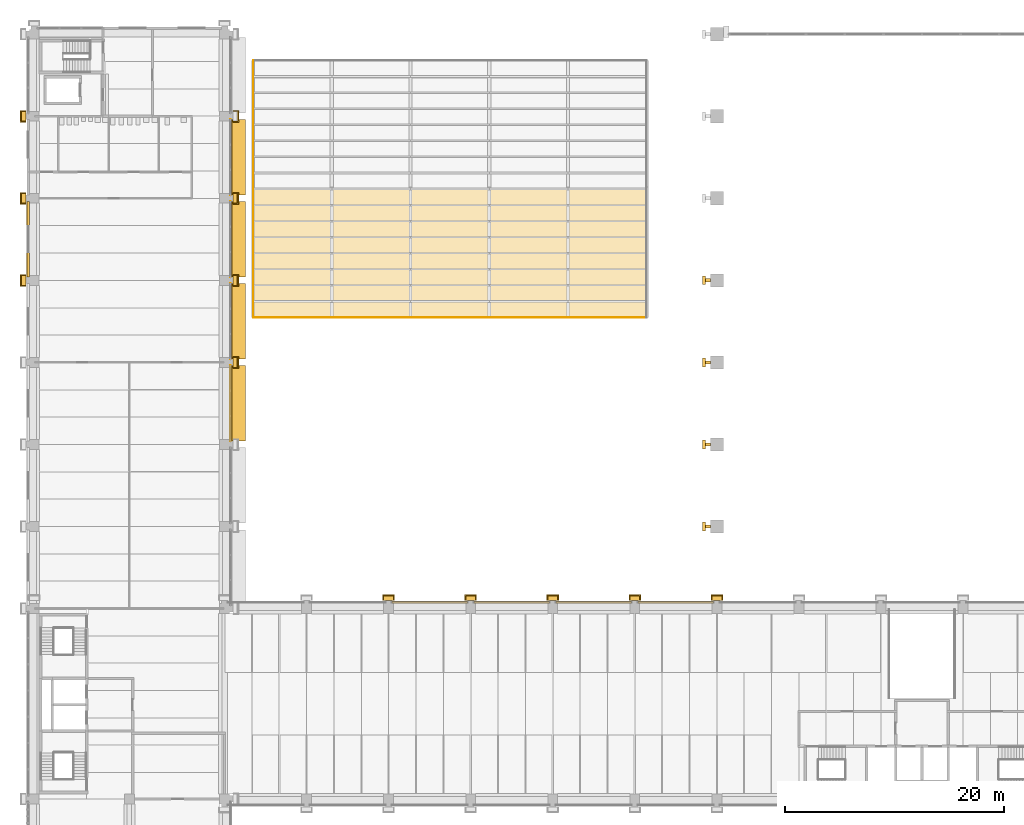
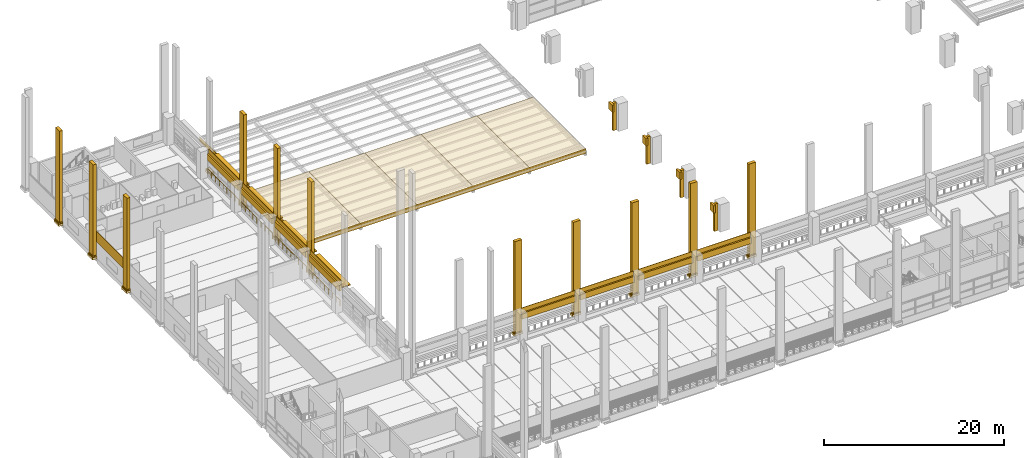
# One storey, part 52 of 67: 59 coverings, 4 railings, 4 shading devices, 1 element without a shape of its own.
"""IFC4 building model written with IfcOpenShell, lengths in metres."""

from ifc_helpers import new_model, si_unit, direction, frame, origin, origin_2d, place, context, subcontext, project, spatial, polyline, circle, outline, extrude, material, layer, layer_set, type_object, element, aggregate, save


model = new_model("IFC4")

# Units and contexts
model_context = context("Model", 3, precision=1e-05, world=origin(), true_north=direction((0.0, 1.0)))
body_context = subcontext(model_context, "Body", "Model", "MODEL_VIEW")
ifc_project = project(units=[si_unit("LENGTHUNIT", "METRE"), si_unit("AREAUNIT", "SQUARE_METRE"), si_unit("VOLUMEUNIT", "CUBIC_METRE"), si_unit("PLANEANGLEUNIT", "RADIAN"), si_unit("MASSUNIT", "GRAM", prefix="KILO")], contexts=[model_context])

# Site, building, storey
site_placement = place(None, origin())
site = spatial("IfcSite", under=ifc_project, at=site_placement, CompositionType="ELEMENT")
building_placement = place(site_placement, origin())
building = spatial("IfcBuilding", under=site, at=building_placement, Name="Cour d'Honneur Mobility Palace", CompositionType="ELEMENT")
storey_placement = place(building_placement, frame((0.0, 0.0, 4.5)))
storey = spatial("IfcBuildingStorey", under=building, at=storey_placement, Name="L01", CompositionType="ELEMENT", Elevation=4.5)

# Railings
ifc_material_1 = material(Name="Painted steel", Category="steel")
railing_type = type_object("IfcRailingType", Name="Balustrade", PredefinedType="BALUSTRADE", material=ifc_material_1)
for number, where, name in (
    (1, (17.949951171875, 77.699951171875, 0.300048828125), "Balustrade BAL-59"),
    (2, (17.949951171875, 85.199951171875, 0.300048828125), "Balustrade BAL-60"),
    (3, (17.949951171875, 92.699951171875, 0.300048828125), "Balustrade BAL-61"),
    (4, (17.949951171875, 100.199951171875, 0.300048828125), "Balustrade BAL-62"),
):
    element("IfcRailing", number, at=place(storey_placement, frame(where)), inside=storey, type_object=railing_type, Name=name, PredefinedType="BALUSTRADE", context=body_context, shape_type="SweptSolid", body=[
        extrude(circle(Radius=0.02392578125, at=origin_2d()), frame((0.0, 0.0, 0.77587890625), z_axis=(0.0, 1.0, 0.0), x_axis=(-1.0, 0.0, 0.0)), (0.0, 0.0, 1.0), 6.900146484375),
        extrude(circle(Radius=0.02099609375, at=origin_2d()), origin(), (0.0, 0.0, 1.0), 0.751953125),
        extrude(circle(Radius=0.02099609375, at=origin_2d()), frame((0.0, 0.862548828125, 0.0)), (0.0, 0.0, 1.0), 0.751953125),
        extrude(circle(Radius=0.02099609375, at=origin_2d()), frame((0.0, 1.72509765625, 0.0)), (0.0, 0.0, 1.0), 0.751953125),
        extrude(circle(Radius=0.02099609375, at=origin_2d()), frame((0.0, 2.587646484375, 0.0)), (0.0, 0.0, 1.0), 0.751953125),
        extrude(circle(Radius=0.02099609375, at=origin_2d()), frame((0.0, 3.4501953125, 0.0)), (0.0, 0.0, 1.0), 0.751953125),
        extrude(circle(Radius=0.02099609375, at=origin_2d()), frame((0.0, 4.3125, 0.0)), (0.0, 0.0, 1.0), 0.751953125),
        extrude(circle(Radius=0.02099609375, at=origin_2d()), frame((0.0, 5.175048828125, 0.0)), (0.0, 0.0, 1.0), 0.751953125),
        extrude(circle(Radius=0.02099609375, at=origin_2d()), frame((0.0, 6.03759765625, 0.0)), (0.0, 0.0, 1.0), 0.751953125),
        extrude(circle(Radius=0.02099609375, at=origin_2d()), frame((0.0, 6.900146484375, 0.0)), (0.0, 0.0, 1.0), 0.751953125),
    ])

# Roof, coverings
ifc_material_2 = material(Name="Zinc standing seam")
ifc_layer_1 = layer(ifc_material_2, 0.050048828125)
ifc_layer_set_1 = layer_set([ifc_layer_1], Name="Zinc standing seam")
roof_type = type_object("IfcRoofType", Name="Forecourt canopy", PredefinedType="FLAT_ROOF", material=ifc_layer_set_1)
roof_placement = place(storey_placement, origin())
roof = element("IfcRoof", 5, at=roof_placement, inside=storey, type_object=roof_type, Name="Forecourt canopy roof W", PredefinedType="FLAT_ROOF")
ifc_material_3 = material(Name="Cast limestone", Category="masonry")
ifc_layer_2 = layer(ifc_material_3, 0.0400390625)
ifc_layer_set_2 = layer_set([ifc_layer_2], Name="Cast limestone")
covering_type_1 = type_object("IfcCoveringType", Name="Canopy fascia", PredefinedType="CLADDING", material=ifc_layer_set_2)
covering_1_placement = place(storey_placement, frame((20.0, 89.0, 0.800048828125), z_axis=(0.0, -1.0, 0.0), x_axis=(1.0, 0.0, 0.0)))
covering_1 = element("IfcCovering", 6, at=covering_1_placement, type_object=covering_type_1, Name="Canopy fascia FCF-W1", PredefinedType="CLADDING", context=body_context, shape_type="SweptSolid", body=[
    extrude(outline(polyline([(0.0, 0.0), (36.0, 0.0), (36.0, 0.64990234375), (0.0, 0.64990234375), (0.0, 0.0)])), origin(), (0.0, 0.0, -1.0), 0.0400390625),
])
covering_2_placement = place(storey_placement, frame((20.0, 112.5, 0.800048828125), z_axis=(-1.0, 0.0, 0.0), x_axis=(0.0, -1.0, 0.0)))
covering_2 = element("IfcCovering", 7, at=covering_2_placement, type_object=covering_type_1, Name="Canopy fascia FCF-W4", PredefinedType="CLADDING", context=body_context, shape_type="SweptSolid", body=[
    extrude(outline(polyline([(0.0, 0.0), (23.5, 0.0), (23.5, 0.64990234375), (0.0, 0.64990234375), (0.0, 0.0)])), origin(), (0.0, 0.0, -1.0), 0.0400390625),
])
ifc_material_4 = material(Name="Zinc standing seam")
ifc_layer_3 = layer(ifc_material_4, 0.050048828125)
ifc_layer_set_3 = layer_set([ifc_layer_3], Name="Zinc standing seam")
covering_type_2 = type_object("IfcCoveringType", Name="Canopy roof panel", PredefinedType="ROOFING", material=ifc_layer_set_3)
covering_3_placement = place(storey_placement, frame((20.0, 89.0, 1.300048828125), z_axis=(0.0, 0.0, 1.0), x_axis=(1.0, 0.0, 0.0)))
covering_3 = element("IfcCovering", 8, at=covering_3_placement, type_object=covering_type_2, Name="Canopy roof panel FCS-W1", PredefinedType="ROOFING", context=body_context, shape_type="SweptSolid", body=[
    extrude(outline(polyline([(0.0, 0.0), (7.199951171875, 0.0), (7.199951171875, 11.75), (0.0, 11.75), (0.0, 0.0)])), origin(), (0.0, 0.0, -1.0), 0.050048828125),
])
covering_4_placement = place(storey_placement, frame((27.199951171875, 89.0, 1.300048828125), z_axis=(0.0, 0.0, 1.0), x_axis=(1.0, 0.0, 0.0)))
covering_4 = element("IfcCovering", 9, at=covering_4_placement, type_object=covering_type_2, Name="Canopy roof panel FCS-W3", PredefinedType="ROOFING", context=body_context, shape_type="SweptSolid", body=[
    extrude(outline(polyline([(0.0, 0.0), (7.199951171875, 0.0), (7.199951171875, 11.75), (0.0, 11.75), (0.0, 0.0)])), origin(), (0.0, 0.0, -1.0), 0.050048828125),
])
covering_5_placement = place(storey_placement, frame((34.39990234375, 89.0, 1.300048828125), z_axis=(0.0, 0.0, 1.0), x_axis=(1.0, 0.0, 0.0)))
covering_5 = element("IfcCovering", 10, at=covering_5_placement, type_object=covering_type_2, Name="Canopy roof panel FCS-W5", PredefinedType="ROOFING", context=body_context, shape_type="SweptSolid", body=[
    extrude(outline(polyline([(0.0, 0.0), (7.2001953125, 0.0), (7.2001953125, 11.75), (0.0, 11.75), (0.0, 0.0)])), origin(), (0.0, 0.0, -1.0), 0.050048828125),
])
covering_6_placement = place(storey_placement, frame((41.60009765625, 89.0, 1.300048828125), z_axis=(0.0, 0.0, 1.0), x_axis=(1.0, 0.0, 0.0)))
covering_6 = element("IfcCovering", 11, at=covering_6_placement, type_object=covering_type_2, Name="Canopy roof panel FCS-W7", PredefinedType="ROOFING", context=body_context, shape_type="SweptSolid", body=[
    extrude(outline(polyline([(0.0, 0.0), (7.199951171875, 0.0), (7.199951171875, 11.75), (0.0, 11.75), (0.0, 0.0)])), origin(), (0.0, 0.0, -1.0), 0.050048828125),
])
covering_7_placement = place(storey_placement, frame((48.800048828125, 89.0, 1.300048828125), z_axis=(0.0, 0.0, 1.0), x_axis=(1.0, 0.0, 0.0)))
covering_7 = element("IfcCovering", 12, at=covering_7_placement, type_object=covering_type_2, Name="Canopy roof panel FCS-W9", PredefinedType="ROOFING", context=body_context, shape_type="SweptSolid", body=[
    extrude(outline(polyline([(0.0, 0.0), (7.199951171875, 0.0), (7.199951171875, 11.75), (0.0, 11.75), (0.0, 0.0)])), origin(), (0.0, 0.0, -1.0), 0.050048828125),
])
aggregate(roof, [covering_3, covering_4, covering_5, covering_6, covering_7, covering_1, covering_2])

# Coverings
ifc_material_5 = material(Name="Cast limestone", Category="masonry")
ifc_layer_4 = layer(ifc_material_5, 0.300048828125)
ifc_layer_set_4 = layer_set([ifc_layer_4], Name="Cast limestone")
covering_type_3 = type_object("IfcCoveringType", Name="Pier fin", PredefinedType="CLADDING", material=ifc_layer_set_4)
covering_8_placement = place(storey_placement, origin())
element("IfcCovering", 13, at=covering_8_placement, inside=storey, type_object=covering_type_3, Name="Pier fin HP-W2 L01", PredefinedType="CLADDING", context=body_context, shape_type="SweptSolid", body=[
    extrude(outline(polyline([(61.35009765625, 69.75), (61.800048828125, 69.75), (61.800048828125, 70.050048828125), (61.35009765625, 70.050048828125), (61.35009765625, 69.75)])), origin(), (0.0, 0.0, 1.0), 3.699951171875),
])
covering_9_placement = place(storey_placement, origin())
element("IfcCovering", 14, at=covering_9_placement, inside=storey, type_object=covering_type_3, Name="Pier fin HP-W3 L01", PredefinedType="CLADDING", context=body_context, shape_type="SweptSolid", body=[
    extrude(outline(polyline([(61.35009765625, 77.25), (61.800048828125, 77.25), (61.800048828125, 77.550048828125), (61.35009765625, 77.550048828125), (61.35009765625, 77.25)])), origin(), (0.0, 0.0, 1.0), 3.699951171875),
])
covering_10_placement = place(storey_placement, origin())
element("IfcCovering", 15, at=covering_10_placement, inside=storey, type_object=covering_type_3, Name="Pier fin HP-W4 L01", PredefinedType="CLADDING", context=body_context, shape_type="SweptSolid", body=[
    extrude(outline(polyline([(61.35009765625, 84.75), (61.800048828125, 84.75), (61.800048828125, 85.050048828125), (61.35009765625, 85.050048828125), (61.35009765625, 84.75)])), origin(), (0.0, 0.0, 1.0), 3.699951171875),
])
covering_11_placement = place(storey_placement, origin())
element("IfcCovering", 16, at=covering_11_placement, inside=storey, type_object=covering_type_3, Name="Pier fin HP-W5 L01", PredefinedType="CLADDING", context=body_context, shape_type="SweptSolid", body=[
    extrude(outline(polyline([(61.35009765625, 92.25), (61.800048828125, 92.25), (61.800048828125, 92.550048828125), (61.35009765625, 92.550048828125), (61.35009765625, 92.25)])), origin(), (0.0, 0.0, 1.0), 3.699951171875),
])
ifc_material_6 = material(Name="Cast limestone", Category="masonry")
ifc_layer_5 = layer(ifc_material_6, 0.14990234375)
ifc_layer_set_5 = layer_set([ifc_layer_5], Name="Cast limestone")
covering_type_4 = type_object("IfcCoveringType", Name="Pilaster base", PredefinedType="CLADDING", material=ifc_layer_set_5)
covering_12_placement = place(storey_placement, frame((0.0, 0.0, 0.10009765625)))
element("IfcCovering", 17, at=covering_12_placement, inside=storey, type_object=covering_type_4, Name="Pilaster base PB-145", PredefinedType="CLADDING", context=body_context, shape_type="SweptSolid", body=[
    extrude(outline(polyline([(62.949951171875, 63.14990234375), (61.85009765625, 63.14990234375), (61.85009765625, 63.699951171875), (62.949951171875, 63.699951171875), (62.949951171875, 63.14990234375)])), origin(), (0.0, 0.0, 1.0), 0.2998046875),
])
covering_13_placement = place(storey_placement, frame((0.0, 0.0, 0.39990234375)))
element("IfcCovering", 18, at=covering_13_placement, inside=storey, type_object=covering_type_4, Name="Pilaster base PB-146", PredefinedType="CLADDING", context=body_context, shape_type="SweptSolid", body=[
    extrude(outline(polyline([(62.89990234375, 63.14990234375), (61.89990234375, 63.14990234375), (61.89990234375, 63.6201171875), (62.89990234375, 63.6201171875), (62.89990234375, 63.14990234375)])), origin(), (0.0, 0.0, 1.0), 0.150146484375),
])
covering_14_placement = place(storey_placement, frame((0.0, 0.0, 0.10009765625)))
element("IfcCovering", 19, at=covering_14_placement, inside=storey, type_object=covering_type_4, Name="Pilaster base PB-147", PredefinedType="CLADDING", context=body_context, shape_type="SweptSolid", body=[
    extrude(outline(polyline([(55.449951171875, 63.14990234375), (54.35009765625, 63.14990234375), (54.35009765625, 63.699951171875), (55.449951171875, 63.699951171875), (55.449951171875, 63.14990234375)])), origin(), (0.0, 0.0, 1.0), 0.2998046875),
])
covering_15_placement = place(storey_placement, frame((0.0, 0.0, 0.39990234375)))
element("IfcCovering", 20, at=covering_15_placement, inside=storey, type_object=covering_type_4, Name="Pilaster base PB-148", PredefinedType="CLADDING", context=body_context, shape_type="SweptSolid", body=[
    extrude(outline(polyline([(55.39990234375, 63.14990234375), (54.39990234375, 63.14990234375), (54.39990234375, 63.6201171875), (55.39990234375, 63.6201171875), (55.39990234375, 63.14990234375)])), origin(), (0.0, 0.0, 1.0), 0.150146484375),
])
covering_16_placement = place(storey_placement, frame((0.0, 0.0, 0.10009765625)))
element("IfcCovering", 21, at=covering_16_placement, inside=storey, type_object=covering_type_4, Name="Pilaster base PB-149", PredefinedType="CLADDING", context=body_context, shape_type="SweptSolid", body=[
    extrude(outline(polyline([(47.949951171875, 63.14990234375), (46.85009765625, 63.14990234375), (46.85009765625, 63.699951171875), (47.949951171875, 63.699951171875), (47.949951171875, 63.14990234375)])), origin(), (0.0, 0.0, 1.0), 0.2998046875),
])
covering_17_placement = place(storey_placement, frame((0.0, 0.0, 0.39990234375)))
element("IfcCovering", 22, at=covering_17_placement, inside=storey, type_object=covering_type_4, Name="Pilaster base PB-150", PredefinedType="CLADDING", context=body_context, shape_type="SweptSolid", body=[
    extrude(outline(polyline([(47.89990234375, 63.14990234375), (46.89990234375, 63.14990234375), (46.89990234375, 63.6201171875), (47.89990234375, 63.6201171875), (47.89990234375, 63.14990234375)])), origin(), (0.0, 0.0, 1.0), 0.150146484375),
])
covering_18_placement = place(storey_placement, frame((0.0, 0.0, 0.10009765625)))
element("IfcCovering", 23, at=covering_18_placement, inside=storey, type_object=covering_type_4, Name="Pilaster base PB-151", PredefinedType="CLADDING", context=body_context, shape_type="SweptSolid", body=[
    extrude(outline(polyline([(40.449951171875, 63.14990234375), (39.35009765625, 63.14990234375), (39.35009765625, 63.699951171875), (40.449951171875, 63.699951171875), (40.449951171875, 63.14990234375)])), origin(), (0.0, 0.0, 1.0), 0.2998046875),
])
covering_19_placement = place(storey_placement, frame((0.0, 0.0, 0.39990234375)))
element("IfcCovering", 24, at=covering_19_placement, inside=storey, type_object=covering_type_4, Name="Pilaster base PB-152", PredefinedType="CLADDING", context=body_context, shape_type="SweptSolid", body=[
    extrude(outline(polyline([(40.39990234375, 63.14990234375), (39.39990234375, 63.14990234375), (39.39990234375, 63.6201171875), (40.39990234375, 63.6201171875), (40.39990234375, 63.14990234375)])), origin(), (0.0, 0.0, 1.0), 0.150146484375),
])
covering_20_placement = place(storey_placement, frame((0.0, 0.0, 0.10009765625)))
element("IfcCovering", 25, at=covering_20_placement, inside=storey, type_object=covering_type_4, Name="Pilaster base PB-153", PredefinedType="CLADDING", context=body_context, shape_type="SweptSolid", body=[
    extrude(outline(polyline([(32.949951171875, 63.14990234375), (31.85009765625, 63.14990234375), (31.85009765625, 63.699951171875), (32.949951171875, 63.699951171875), (32.949951171875, 63.14990234375)])), origin(), (0.0, 0.0, 1.0), 0.2998046875),
])
covering_21_placement = place(storey_placement, frame((0.0, 0.0, 0.39990234375)))
element("IfcCovering", 26, at=covering_21_placement, inside=storey, type_object=covering_type_4, Name="Pilaster base PB-154", PredefinedType="CLADDING", context=body_context, shape_type="SweptSolid", body=[
    extrude(outline(polyline([(32.89990234375, 63.14990234375), (31.89990234375, 63.14990234375), (31.89990234375, 63.6201171875), (32.89990234375, 63.6201171875), (32.89990234375, 63.14990234375)])), origin(), (0.0, 0.0, 1.0), 0.150146484375),
])
covering_22_placement = place(storey_placement, frame((0.0, 0.0, 0.10009765625)))
element("IfcCovering", 27, at=covering_22_placement, inside=storey, type_object=covering_type_4, Name="Pilaster base PB-165", PredefinedType="CLADDING", context=body_context, shape_type="SweptSolid", body=[
    extrude(outline(polyline([(18.14990234375, 84.35009765625), (18.14990234375, 85.449951171875), (18.699951171875, 85.449951171875), (18.699951171875, 84.35009765625), (18.14990234375, 84.35009765625)])), origin(), (0.0, 0.0, 1.0), 0.2998046875),
])
covering_23_placement = place(storey_placement, frame((0.0, 0.0, 0.39990234375)))
element("IfcCovering", 28, at=covering_23_placement, inside=storey, type_object=covering_type_4, Name="Pilaster base PB-166", PredefinedType="CLADDING", context=body_context, shape_type="SweptSolid", body=[
    extrude(outline(polyline([(18.14990234375, 84.39990234375), (18.14990234375, 85.39990234375), (18.6201171875, 85.39990234375), (18.6201171875, 84.39990234375), (18.14990234375, 84.39990234375)])), origin(), (0.0, 0.0, 1.0), 0.150146484375),
])
covering_24_placement = place(storey_placement, frame((0.0, 0.0, 0.10009765625)))
element("IfcCovering", 29, at=covering_24_placement, inside=storey, type_object=covering_type_4, Name="Pilaster base PB-167", PredefinedType="CLADDING", context=body_context, shape_type="SweptSolid", body=[
    extrude(outline(polyline([(18.14990234375, 91.85009765625), (18.14990234375, 92.949951171875), (18.699951171875, 92.949951171875), (18.699951171875, 91.85009765625), (18.14990234375, 91.85009765625)])), origin(), (0.0, 0.0, 1.0), 0.2998046875),
])
covering_25_placement = place(storey_placement, frame((0.0, 0.0, 0.39990234375)))
element("IfcCovering", 30, at=covering_25_placement, inside=storey, type_object=covering_type_4, Name="Pilaster base PB-168", PredefinedType="CLADDING", context=body_context, shape_type="SweptSolid", body=[
    extrude(outline(polyline([(18.14990234375, 91.89990234375), (18.14990234375, 92.89990234375), (18.6201171875, 92.89990234375), (18.6201171875, 91.89990234375), (18.14990234375, 91.89990234375)])), origin(), (0.0, 0.0, 1.0), 0.150146484375),
])
covering_26_placement = place(storey_placement, frame((0.0, 0.0, 0.10009765625)))
element("IfcCovering", 31, at=covering_26_placement, inside=storey, type_object=covering_type_4, Name="Pilaster base PB-169", PredefinedType="CLADDING", context=body_context, shape_type="SweptSolid", body=[
    extrude(outline(polyline([(18.14990234375, 99.35009765625), (18.14990234375, 100.449951171875), (18.699951171875, 100.449951171875), (18.699951171875, 99.35009765625), (18.14990234375, 99.35009765625)])), origin(), (0.0, 0.0, 1.0), 0.2998046875),
])
covering_27_placement = place(storey_placement, frame((0.0, 0.0, 0.39990234375)))
element("IfcCovering", 32, at=covering_27_placement, inside=storey, type_object=covering_type_4, Name="Pilaster base PB-170", PredefinedType="CLADDING", context=body_context, shape_type="SweptSolid", body=[
    extrude(outline(polyline([(18.14990234375, 99.39990234375), (18.14990234375, 100.39990234375), (18.6201171875, 100.39990234375), (18.6201171875, 99.39990234375), (18.14990234375, 99.39990234375)])), origin(), (0.0, 0.0, 1.0), 0.150146484375),
])
covering_28_placement = place(storey_placement, frame((0.0, 0.0, 0.10009765625)))
element("IfcCovering", 33, at=covering_28_placement, inside=storey, type_object=covering_type_4, Name="Pilaster base PB-171", PredefinedType="CLADDING", context=body_context, shape_type="SweptSolid", body=[
    extrude(outline(polyline([(18.14990234375, 106.85009765625), (18.14990234375, 107.949951171875), (18.699951171875, 107.949951171875), (18.699951171875, 106.85009765625), (18.14990234375, 106.85009765625)])), origin(), (0.0, 0.0, 1.0), 0.2998046875),
])
covering_29_placement = place(storey_placement, frame((0.0, 0.0, 0.39990234375)))
element("IfcCovering", 34, at=covering_29_placement, inside=storey, type_object=covering_type_4, Name="Pilaster base PB-172", PredefinedType="CLADDING", context=body_context, shape_type="SweptSolid", body=[
    extrude(outline(polyline([(18.14990234375, 106.89990234375), (18.14990234375, 107.89990234375), (18.6201171875, 107.89990234375), (18.6201171875, 106.89990234375), (18.14990234375, 106.89990234375)])), origin(), (0.0, 0.0, 1.0), 0.150146484375),
])
covering_30_placement = place(storey_placement, frame((0.0, 0.0, 0.10009765625)))
element("IfcCovering", 35, at=covering_30_placement, inside=storey, type_object=covering_type_4, Name="Pilaster base PB-181", PredefinedType="CLADDING", context=body_context, shape_type="SweptSolid", body=[
    extrude(outline(polyline([(-0.75, 107.949951171875), (-0.75, 106.85009765625), (-1.300048828125, 106.85009765625), (-1.300048828125, 107.949951171875), (-0.75, 107.949951171875)])), origin(), (0.0, 0.0, 1.0), 0.2998046875),
])
covering_31_placement = place(storey_placement, frame((0.0, 0.0, 0.39990234375)))
element("IfcCovering", 36, at=covering_31_placement, inside=storey, type_object=covering_type_4, Name="Pilaster base PB-182", PredefinedType="CLADDING", context=body_context, shape_type="SweptSolid", body=[
    extrude(outline(polyline([(-0.75, 107.89990234375), (-0.75, 106.89990234375), (-1.219970703125, 106.89990234375), (-1.219970703125, 107.89990234375), (-0.75, 107.89990234375)])), origin(), (0.0, 0.0, 1.0), 0.150146484375),
])
covering_32_placement = place(storey_placement, frame((0.0, 0.0, 0.10009765625)))
element("IfcCovering", 37, at=covering_32_placement, inside=storey, type_object=covering_type_4, Name="Pilaster base PB-183", PredefinedType="CLADDING", context=body_context, shape_type="SweptSolid", body=[
    extrude(outline(polyline([(-0.75, 100.449951171875), (-0.75, 99.35009765625), (-1.300048828125, 99.35009765625), (-1.300048828125, 100.449951171875), (-0.75, 100.449951171875)])), origin(), (0.0, 0.0, 1.0), 0.2998046875),
])
covering_33_placement = place(storey_placement, frame((0.0, 0.0, 0.39990234375)))
element("IfcCovering", 38, at=covering_33_placement, inside=storey, type_object=covering_type_4, Name="Pilaster base PB-184", PredefinedType="CLADDING", context=body_context, shape_type="SweptSolid", body=[
    extrude(outline(polyline([(-0.75, 100.39990234375), (-0.75, 99.39990234375), (-1.219970703125, 99.39990234375), (-1.219970703125, 100.39990234375), (-0.75, 100.39990234375)])), origin(), (0.0, 0.0, 1.0), 0.150146484375),
])
covering_34_placement = place(storey_placement, frame((0.0, 0.0, 0.10009765625)))
element("IfcCovering", 39, at=covering_34_placement, inside=storey, type_object=covering_type_4, Name="Pilaster base PB-185", PredefinedType="CLADDING", context=body_context, shape_type="SweptSolid", body=[
    extrude(outline(polyline([(-0.75, 92.949951171875), (-0.75, 91.85009765625), (-1.300048828125, 91.85009765625), (-1.300048828125, 92.949951171875), (-0.75, 92.949951171875)])), origin(), (0.0, 0.0, 1.0), 0.2998046875),
])
covering_35_placement = place(storey_placement, frame((0.0, 0.0, 0.39990234375)))
element("IfcCovering", 40, at=covering_35_placement, inside=storey, type_object=covering_type_4, Name="Pilaster base PB-186", PredefinedType="CLADDING", context=body_context, shape_type="SweptSolid", body=[
    extrude(outline(polyline([(-0.75, 92.89990234375), (-0.75, 91.89990234375), (-1.219970703125, 91.89990234375), (-1.219970703125, 92.89990234375), (-0.75, 92.89990234375)])), origin(), (0.0, 0.0, 1.0), 0.150146484375),
])
ifc_material_7 = material(Name="Cast limestone", Category="masonry")
ifc_layer_6 = layer(ifc_material_7, 0.1201171875)
ifc_layer_set_6 = layer_set([ifc_layer_6], Name="Cast limestone")
covering_type_5 = type_object("IfcCoveringType", Name="Pilaster capital", PredefinedType="CLADDING", material=ifc_layer_set_6)
covering_36_placement = place(storey_placement, frame((0.0, 0.0, 2.699951171875)))
element("IfcCovering", 41, at=covering_36_placement, inside=storey, type_object=covering_type_5, Name="Hall pilaster capital HP-W2", PredefinedType="CLADDING", context=body_context, shape_type="SweptSolid", body=[
    extrude(outline(polyline([(61.10009765625, 69.5), (61.35009765625, 69.5), (61.35009765625, 70.300048828125), (61.10009765625, 70.300048828125), (61.10009765625, 69.5)])), origin(), (0.0, 0.0, 1.0), 1.0),
])
covering_37_placement = place(storey_placement, frame((0.0, 0.0, 2.699951171875)))
element("IfcCovering", 42, at=covering_37_placement, inside=storey, type_object=covering_type_5, Name="Hall pilaster capital HP-W3", PredefinedType="CLADDING", context=body_context, shape_type="SweptSolid", body=[
    extrude(outline(polyline([(61.10009765625, 77.0), (61.35009765625, 77.0), (61.35009765625, 77.800048828125), (61.10009765625, 77.800048828125), (61.10009765625, 77.0)])), origin(), (0.0, 0.0, 1.0), 1.0),
])
covering_38_placement = place(storey_placement, frame((0.0, 0.0, 2.699951171875)))
element("IfcCovering", 43, at=covering_38_placement, inside=storey, type_object=covering_type_5, Name="Hall pilaster capital HP-W4", PredefinedType="CLADDING", context=body_context, shape_type="SweptSolid", body=[
    extrude(outline(polyline([(61.10009765625, 84.5), (61.35009765625, 84.5), (61.35009765625, 85.300048828125), (61.10009765625, 85.300048828125), (61.10009765625, 84.5)])), origin(), (0.0, 0.0, 1.0), 1.0),
])
covering_39_placement = place(storey_placement, frame((0.0, 0.0, 2.699951171875)))
element("IfcCovering", 44, at=covering_39_placement, inside=storey, type_object=covering_type_5, Name="Hall pilaster capital HP-W5", PredefinedType="CLADDING", context=body_context, shape_type="SweptSolid", body=[
    extrude(outline(polyline([(61.10009765625, 92.0), (61.35009765625, 92.0), (61.35009765625, 92.800048828125), (61.10009765625, 92.800048828125), (61.10009765625, 92.0)])), origin(), (0.0, 0.0, 1.0), 1.0),
])
ifc_material_8 = material(Name="Cast limestone", Category="masonry")
ifc_layer_7 = layer(ifc_material_8, 0.39990234375)
ifc_layer_set_7 = layer_set([ifc_layer_7], Name="Cast limestone")
covering_type_6 = type_object("IfcCoveringType", Name="Pilaster shaft", PredefinedType="CLADDING", material=ifc_layer_set_7)
covering_40_placement = place(storey_placement, frame((0.0, 0.0, 0.550048828125)))
element("IfcCovering", 45, at=covering_40_placement, inside=storey, type_object=covering_type_6, Name="Pilaster shaft PS-73", PredefinedType="CLADDING", context=body_context, shape_type="SweptSolid", body=[
    extrude(outline(polyline([(62.85009765625, 63.14990234375), (61.949951171875, 63.14990234375), (61.949951171875, 63.550048828125), (62.85009765625, 63.550048828125), (62.85009765625, 63.14990234375)])), origin(), (0.0, 0.0, 1.0), 12.349853515625),
])
covering_41_placement = place(storey_placement, frame((0.0, 0.0, 0.550048828125)))
element("IfcCovering", 46, at=covering_41_placement, inside=storey, type_object=covering_type_6, Name="Pilaster shaft PS-74", PredefinedType="CLADDING", context=body_context, shape_type="SweptSolid", body=[
    extrude(outline(polyline([(55.35009765625, 63.14990234375), (54.449951171875, 63.14990234375), (54.449951171875, 63.550048828125), (55.35009765625, 63.550048828125), (55.35009765625, 63.14990234375)])), origin(), (0.0, 0.0, 1.0), 12.349853515625),
])
covering_42_placement = place(storey_placement, frame((0.0, 0.0, 0.550048828125)))
element("IfcCovering", 47, at=covering_42_placement, inside=storey, type_object=covering_type_6, Name="Pilaster shaft PS-75", PredefinedType="CLADDING", context=body_context, shape_type="SweptSolid", body=[
    extrude(outline(polyline([(47.85009765625, 63.14990234375), (46.949951171875, 63.14990234375), (46.949951171875, 63.550048828125), (47.85009765625, 63.550048828125), (47.85009765625, 63.14990234375)])), origin(), (0.0, 0.0, 1.0), 12.349853515625),
])
covering_43_placement = place(storey_placement, frame((0.0, 0.0, 0.550048828125)))
element("IfcCovering", 48, at=covering_43_placement, inside=storey, type_object=covering_type_6, Name="Pilaster shaft PS-76", PredefinedType="CLADDING", context=body_context, shape_type="SweptSolid", body=[
    extrude(outline(polyline([(40.35009765625, 63.14990234375), (39.449951171875, 63.14990234375), (39.449951171875, 63.550048828125), (40.35009765625, 63.550048828125), (40.35009765625, 63.14990234375)])), origin(), (0.0, 0.0, 1.0), 12.349853515625),
])
covering_44_placement = place(storey_placement, frame((0.0, 0.0, 0.550048828125)))
element("IfcCovering", 49, at=covering_44_placement, inside=storey, type_object=covering_type_6, Name="Pilaster shaft PS-77", PredefinedType="CLADDING", context=body_context, shape_type="SweptSolid", body=[
    extrude(outline(polyline([(32.85009765625, 63.14990234375), (31.949951171875, 63.14990234375), (31.949951171875, 63.550048828125), (32.85009765625, 63.550048828125), (32.85009765625, 63.14990234375)])), origin(), (0.0, 0.0, 1.0), 12.349853515625),
])
covering_45_placement = place(storey_placement, frame((0.0, 0.0, 0.550048828125)))
element("IfcCovering", 50, at=covering_45_placement, inside=storey, type_object=covering_type_6, Name="Pilaster shaft PS-83", PredefinedType="CLADDING", context=body_context, shape_type="SweptSolid", body=[
    extrude(outline(polyline([(18.14990234375, 84.449951171875), (18.14990234375, 85.35009765625), (18.550048828125, 85.35009765625), (18.550048828125, 84.449951171875), (18.14990234375, 84.449951171875)])), origin(), (0.0, 0.0, 1.0), 12.349853515625),
])
covering_46_placement = place(storey_placement, frame((0.0, 0.0, 0.550048828125)))
element("IfcCovering", 51, at=covering_46_placement, inside=storey, type_object=covering_type_6, Name="Pilaster shaft PS-84", PredefinedType="CLADDING", context=body_context, shape_type="SweptSolid", body=[
    extrude(outline(polyline([(18.14990234375, 91.949951171875), (18.14990234375, 92.85009765625), (18.550048828125, 92.85009765625), (18.550048828125, 91.949951171875), (18.14990234375, 91.949951171875)])), origin(), (0.0, 0.0, 1.0), 12.349853515625),
])
covering_47_placement = place(storey_placement, frame((0.0, 0.0, 0.550048828125)))
element("IfcCovering", 52, at=covering_47_placement, inside=storey, type_object=covering_type_6, Name="Pilaster shaft PS-85", PredefinedType="CLADDING", context=body_context, shape_type="SweptSolid", body=[
    extrude(outline(polyline([(18.14990234375, 99.449951171875), (18.14990234375, 100.35009765625), (18.550048828125, 100.35009765625), (18.550048828125, 99.449951171875), (18.14990234375, 99.449951171875)])), origin(), (0.0, 0.0, 1.0), 12.349853515625),
])
covering_48_placement = place(storey_placement, frame((0.0, 0.0, 0.550048828125)))
element("IfcCovering", 53, at=covering_48_placement, inside=storey, type_object=covering_type_6, Name="Pilaster shaft PS-91", PredefinedType="CLADDING", context=body_context, shape_type="SweptSolid", body=[
    extrude(outline(polyline([(-0.75, 107.85009765625), (-0.75, 106.949951171875), (-1.14990234375, 106.949951171875), (-1.14990234375, 107.85009765625), (-0.75, 107.85009765625)])), origin(), (0.0, 0.0, 1.0), 12.349853515625),
])
covering_49_placement = place(storey_placement, frame((0.0, 0.0, 0.550048828125)))
element("IfcCovering", 54, at=covering_49_placement, inside=storey, type_object=covering_type_6, Name="Pilaster shaft PS-92", PredefinedType="CLADDING", context=body_context, shape_type="SweptSolid", body=[
    extrude(outline(polyline([(-0.75, 100.35009765625), (-0.75, 99.449951171875), (-1.14990234375, 99.449951171875), (-1.14990234375, 100.35009765625), (-0.75, 100.35009765625)])), origin(), (0.0, 0.0, 1.0), 12.349853515625),
])
covering_50_placement = place(storey_placement, frame((0.0, 0.0, 0.550048828125)))
element("IfcCovering", 55, at=covering_50_placement, inside=storey, type_object=covering_type_6, Name="Pilaster shaft PS-93", PredefinedType="CLADDING", context=body_context, shape_type="SweptSolid", body=[
    extrude(outline(polyline([(-0.75, 92.85009765625), (-0.75, 91.949951171875), (-1.14990234375, 91.949951171875), (-1.14990234375, 92.85009765625), (-0.75, 92.85009765625)])), origin(), (0.0, 0.0, 1.0), 12.349853515625),
])
ifc_material_9 = material(Name="Cast limestone", Category="masonry")
ifc_layer_8 = layer(ifc_material_9, 0.25)
ifc_layer_set_8 = layer_set([ifc_layer_8], Name="Cast limestone")
covering_type_7 = type_object("IfcCoveringType", Name="Spandrel cladding", PredefinedType="CLADDING", material=ifc_layer_set_8)
for number, where, z_axis, x_axis, name in (
    (56, (62.10009765625, 62.85009765625, 2.300048828125), (1.0, 0.0, 0.0), (0.0, 1.0, 0.0), "Spandrel cladding SK-118"),
    (57, (54.60009765625, 62.85009765625, 2.300048828125), (1.0, 0.0, 0.0), (0.0, 1.0, 0.0), "Spandrel cladding SK-119"),
    (58, (47.10009765625, 62.85009765625, 2.300048828125), (1.0, 0.0, 0.0), (0.0, 1.0, 0.0), "Spandrel cladding SK-120"),
    (59, (39.60009765625, 62.85009765625, 2.300048828125), (1.0, 0.0, 0.0), (0.0, 1.0, 0.0), "Spandrel cladding SK-121"),
    (60, (17.85009765625, 77.699951171875, 2.300048828125), (0.0, -1.0, 0.0), (1.0, 0.0, 0.0), "Spandrel cladding SK-126"),
    (61, (17.85009765625, 85.199951171875, 2.300048828125), (0.0, -1.0, 0.0), (1.0, 0.0, 0.0), "Spandrel cladding SK-127"),
    (62, (17.85009765625, 92.699951171875, 2.300048828125), (0.0, -1.0, 0.0), (1.0, 0.0, 0.0), "Spandrel cladding SK-128"),
    (63, (17.85009765625, 100.199951171875, 2.300048828125), (0.0, -1.0, 0.0), (1.0, 0.0, 0.0), "Spandrel cladding SK-129"),
    (64, (-0.449951171875, 99.60009765625, 2.300048828125), (0.0, 1.0, 0.0), (-1.0, 0.0, 0.0), "Spandrel cladding SK-131"),
):
    element("IfcCovering", number, at=place(storey_placement, frame(where, z_axis=z_axis, x_axis=x_axis)), inside=storey, type_object=covering_type_7, Name=name, PredefinedType="CLADDING", context=body_context, shape_type="SweptSolid", body=[
        extrude(outline(polyline([(0.0, 0.0), (0.25, 0.0), (0.25, 1.39990234375), (0.199951171875, 1.39990234375), (0.199951171875, 0.800048828125), (0.0, 0.800048828125), (0.0, 0.0)])), origin(), (0.0, 0.0, -1.0), 6.89990234375),
    ])

# Shading devices
ifc_material_10 = material(Name="Anodised aluminium", Category="aluminium")
ifc_layer_9 = layer(ifc_material_10, 0.1201171875)
ifc_layer_set_9 = layer_set([ifc_layer_9], Name="Anodised aluminium")
shading_device_type = type_object("IfcShadingDeviceType", Name="Sunshade 1200", PredefinedType="AWNING", material=ifc_layer_set_9)
shading_device_1_placement = place(storey_placement, frame((0.0, 0.0, 2.6298828125)))
element("IfcShadingDevice", 65, at=shading_device_1_placement, inside=storey, type_object=shading_device_type, Name="Sunshade E9.2 L01", PredefinedType="AWNING", context=body_context, shape_type="SweptSolid", body=[
    extrude(outline(polyline([(18.10009765625, 77.699951171875), (18.10009765625, 84.60009765625), (19.300048828125, 84.60009765625), (19.300048828125, 77.699951171875), (18.10009765625, 77.699951171875)])), origin(), (0.0, 0.0, 1.0), 0.1201171875),
])
shading_device_2_placement = place(storey_placement, frame((0.0, 0.0, 2.6298828125)))
element("IfcShadingDevice", 66, at=shading_device_2_placement, inside=storey, type_object=shading_device_type, Name="Sunshade E9.3 L01", PredefinedType="AWNING", context=body_context, shape_type="SweptSolid", body=[
    extrude(outline(polyline([(18.10009765625, 85.199951171875), (18.10009765625, 92.10009765625), (19.300048828125, 92.10009765625), (19.300048828125, 85.199951171875), (18.10009765625, 85.199951171875)])), origin(), (0.0, 0.0, 1.0), 0.1201171875),
])
shading_device_3_placement = place(storey_placement, frame((0.0, 0.0, 2.6298828125)))
element("IfcShadingDevice", 67, at=shading_device_3_placement, inside=storey, type_object=shading_device_type, Name="Sunshade E9.4 L01", PredefinedType="AWNING", context=body_context, shape_type="SweptSolid", body=[
    extrude(outline(polyline([(18.10009765625, 92.699951171875), (18.10009765625, 99.60009765625), (19.300048828125, 99.60009765625), (19.300048828125, 92.699951171875), (18.10009765625, 92.699951171875)])), origin(), (0.0, 0.0, 1.0), 0.1201171875),
])
shading_device_4_placement = place(storey_placement, frame((0.0, 0.0, 2.6298828125)))
element("IfcShadingDevice", 68, at=shading_device_4_placement, inside=storey, type_object=shading_device_type, Name="Sunshade E9.5 L01", PredefinedType="AWNING", context=body_context, shape_type="SweptSolid", body=[
    extrude(outline(polyline([(18.10009765625, 100.199951171875), (18.10009765625, 107.10009765625), (19.300048828125, 107.10009765625), (19.300048828125, 100.199951171875), (18.10009765625, 100.199951171875)])), origin(), (0.0, 0.0, 1.0), 0.1201171875),
])

save(model, "model.ifc")
